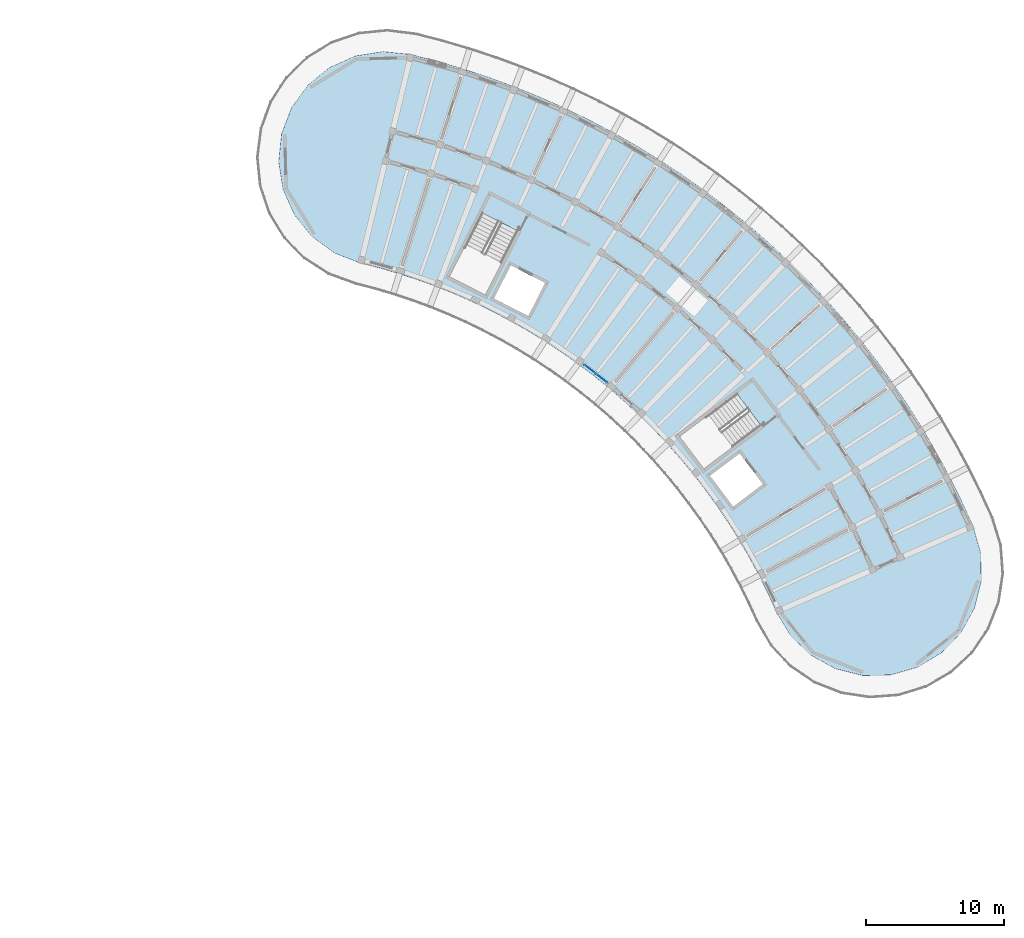
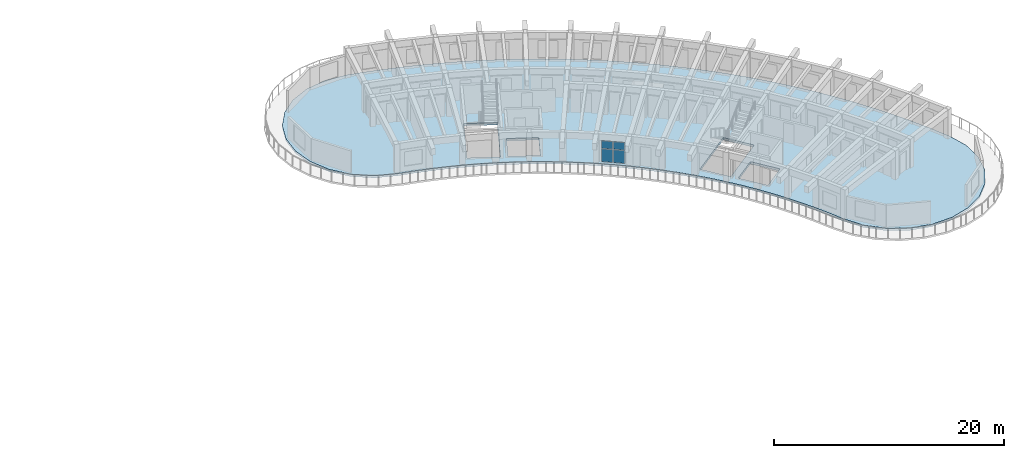
# One storey, part 14 of 41: 4 plates, 1 slab, 1 element without a shape of its own.
"""IFC4 building model written with IfcOpenShell, lengths in metres."""

from ifc_helpers import new_model, si_unit, direction, frame, origin, origin_2d, place, context, subcontext, project, spatial, polyline, rectangle, outline, extrude, material, layer, layer_set, type_object, element, aggregate, save


model = new_model("IFC4")

# Units and contexts
model_context = context("Model", 3, precision=1e-05, world=origin(), true_north=direction((0.0, 1.0)))
body_context = subcontext(model_context, "Body", "Model", "MODEL_VIEW")
ifc_project = project(units=[si_unit("LENGTHUNIT", "METRE"), si_unit("AREAUNIT", "SQUARE_METRE"), si_unit("VOLUMEUNIT", "CUBIC_METRE"), si_unit("PLANEANGLEUNIT", "RADIAN"), si_unit("MASSUNIT", "GRAM", prefix="KILO")], contexts=[model_context])

# Site, building, storey
site_placement = place(None, origin())
site = spatial("IfcSite", under=ifc_project, at=site_placement, CompositionType="ELEMENT")
building_placement = place(site_placement, origin())
building = spatial("IfcBuilding", under=site, at=building_placement, Name="Tanwirah Colonnade Gardens", CompositionType="ELEMENT")
storey_placement = place(building_placement, frame((0.0, 0.0, 35.719970703125)))
storey = spatial("IfcBuildingStorey", under=building, at=storey_placement, Name="L10", CompositionType="ELEMENT", Elevation=35.719970703125)

# Curtain wall, plates
ifc_material_1 = material(Name="Bronze-anodised aluminium and solar-control low-E glass", Category="aluminium")
curtain_wall_type = type_object("IfcCurtainWallType", Name="CW-GDN", PredefinedType="NOTDEFINED", material=ifc_material_1)
curtain_wall_placement = place(storey_placement, origin())
curtain_wall = element("IfcCurtainWall", 1, at=curtain_wall_placement, inside=storey, type_object=curtain_wall_type, Name="Curtain Wall CW-B-L10-IN-09", PredefinedType="NOTDEFINED")
ifc_material_2 = material(Name="Acoustic solar-control low-E double glazing", Category="glass")
ifc_layer_1 = layer(ifc_material_2, 0.031982421875)
ifc_layer_set_1 = layer_set([ifc_layer_1], Name="Acoustic solar-control low-E double glazing")
plate_type = type_object("IfcPlateType", Name="CWP-GLZ32", PredefinedType="CURTAIN_PANEL", material=ifc_layer_set_1)
plate_1_placement = place(storey_placement, frame((148.840087890625, 94.82470703125, 0.070068359375), z_axis=(0.0, 0.0, 1.0), x_axis=(-0.786815291166, 0.617188542982, 0.0)))
plate_1 = element("IfcPlate", 2, at=plate_1_placement, type_object=plate_type, Name="CW-GDN panel 1.1", PredefinedType="CURTAIN_PANEL", context=body_context, shape_type="SweptSolid", body=[
    extrude(rectangle(XDim=1.000244140625, YDim=0.031982421875, at=origin_2d()), origin(), (0.0, 0.0, 1.0), 1.35498046875),
])
plate_2_placement = place(storey_placement, frame((148.840087890625, 94.82470703125, 1.4951171875), z_axis=(0.0, 0.0, 1.0), x_axis=(-0.786815291166, 0.617188542982, 0.0)))
plate_2 = element("IfcPlate", 3, at=plate_2_placement, type_object=plate_type, Name="CW-GDN panel 1.2", PredefinedType="CURTAIN_PANEL", context=body_context, shape_type="SweptSolid", body=[
    extrude(rectangle(XDim=1.000244140625, YDim=0.031982421875, at=origin_2d()), origin(), (0.0, 0.0, 1.0), 0.789794921875),
])
plate_3_placement = place(storey_placement, frame((147.998046875, 95.485107421875, 0.070068359375), z_axis=(0.0, 0.0, 1.0), x_axis=(-0.786815291166, 0.617188542982, 0.0)))
plate_3 = element("IfcPlate", 4, at=plate_3_placement, type_object=plate_type, Name="CW-GDN panel 2.1", PredefinedType="CURTAIN_PANEL", context=body_context, shape_type="SweptSolid", body=[
    extrude(rectangle(XDim=1.000244140625, YDim=0.031982421875, at=origin_2d()), origin(), (0.0, 0.0, 1.0), 1.35498046875),
])
plate_4_placement = place(storey_placement, frame((147.998046875, 95.485107421875, 1.4951171875), z_axis=(0.0, 0.0, 1.0), x_axis=(-0.786815291166, 0.617188542982, 0.0)))
plate_4 = element("IfcPlate", 5, at=plate_4_placement, type_object=plate_type, Name="CW-GDN panel 2.2", PredefinedType="CURTAIN_PANEL", context=body_context, shape_type="SweptSolid", body=[
    extrude(rectangle(XDim=1.000244140625, YDim=0.031982421875, at=origin_2d()), origin(), (0.0, 0.0, 1.0), 0.789794921875),
])
aggregate(curtain_wall, [plate_1, plate_2, plate_3, plate_4])

# Slab
ifc_material_3 = material(Name="Precast concrete C40/50", Category="concrete")
ifc_layer_2 = layer(ifc_material_3, 0.2451171875)
ifc_layer_set_2 = layer_set([ifc_layer_2], Name="Precast concrete C40/50")
slab_type = type_object("IfcSlabType", Name="SL-RES-245", PredefinedType="FLOOR", material=ifc_layer_set_2)
slab_placement = place(storey_placement, frame((0.0, 0.0, -0.244873046875)))
element("IfcSlab", 6, at=slab_placement, inside=storey, type_object=slab_type, Name="Block B L10 Precast Composite Floor Slab", PredefinedType="FLOOR", context=body_context, shape_type="SweptSolid", body=[
    extrude(outline(polyline([(160.26513671875, 80.4951171875), (160.91259765625, 79.18994140625), (161.516845703125, 77.864013671875), (162.5673828125, 76.11962890625), (164.033447265625, 74.70654296875), (165.8154296875, 73.72119140625), (167.79150390625, 73.23046875), (169.827392578125, 73.26806640625), (171.7841796875, 73.8310546875), (173.528564453125, 74.881591796875), (174.941650390625, 76.34765625), (175.927001953125, 78.12939453125), (176.417724609375, 80.105712890625), (176.380126953125, 82.1416015625), (175.817138671875, 84.098388671875), (174.99951171875, 85.892333984375), (174.123291015625, 87.658203125), (173.189453125, 89.394287109375), (172.19873046875, 91.0986328125), (171.152587890625, 92.76953125), (170.0517578125, 94.40478515625), (168.897705078125, 96.0029296875), (167.69140625, 97.562255859375), (166.4345703125, 99.0810546875), (165.12841796875, 100.5576171875), (163.774169921875, 101.990234375), (162.37353515625, 103.377197265625), (160.927734375, 104.717529296875), (159.438720703125, 106.009521484375), (157.907958984375, 107.25146484375), (156.3369140625, 108.442626953125), (154.7275390625, 109.5810546875), (153.08154296875, 110.666015625), (151.400634765625, 111.696044921875), (149.686767578125, 112.669921875), (147.94189453125, 113.587158203125), (146.16748046875, 114.446044921875), (144.36572265625, 115.24609375), (142.53857421875, 115.986328125), (140.688232421875, 116.666015625), (138.816162109375, 117.284423828125), (136.925048828125, 117.840576171875), (135.016357421875, 118.334228515625), (132.991455078125, 118.549072265625), (130.980224609375, 118.232421875), (129.119140625, 117.406005859375), (127.535400390625, 116.1259765625), (126.3369140625, 114.47998046875), (125.60546875, 112.57958984375), (125.390625, 110.554931640625), (125.707275390625, 108.54345703125), (126.53369140625, 106.682373046875), (127.8134765625, 105.0986328125), (129.459716796875, 103.900390625), (131.35986328125, 103.168701171875), (132.770751953125, 102.803955078125), (134.16845703125, 102.392822265625), (135.552001953125, 101.935791015625), (136.919921875, 101.433349609375), (138.270263671875, 100.88623046875), (139.60205078125, 100.294921875), (140.91357421875, 99.659912109375), (142.203369140625, 98.982177734375), (143.47021484375, 98.26220703125), (144.71240234375, 97.5009765625), (145.92919921875, 96.698974609375), (147.11865234375, 95.857421875), (148.27978515625, 94.977294921875), (149.4111328125, 94.05908203125), (150.51171875, 93.104248046875), (151.580322265625, 92.11376953125), (152.61572265625, 91.08837890625), (153.61669921875, 90.029541015625), (154.58203125, 88.938232421875), (155.510986328125, 87.815673828125), (156.402587890625, 86.6630859375), (157.255615234375, 85.48193359375), (158.0693359375, 84.27294921875), (158.842529296875, 83.0380859375), (159.57470703125, 81.7783203125), (160.26513671875, 80.4951171875)]), holes=[polyline([(160.4169921875, 91.38427734375), (156.2666015625, 88.256591796875), (154.512939453125, 90.583740234375), (158.663330078125, 93.71142578125), (160.4169921875, 91.38427734375)]), polyline([(158.402587890625, 85.5048828125), (156.717529296875, 87.7412109375), (158.873779296875, 89.365966796875), (160.558837890625, 87.1298828125), (158.402587890625, 85.5048828125)]), polyline([(137.8017578125, 102.199951171875), (140.1611328125, 106.830322265625), (142.757568359375, 105.507568359375), (140.398193359375, 100.876953125), (137.8017578125, 102.199951171875)]), polyline([(142.255126953125, 103.01708984375), (144.75, 101.745849609375), (143.524169921875, 99.34033203125), (141.029541015625, 100.611328125), (142.255126953125, 103.01708984375)])]), origin(), (0.0, 0.0, 1.0), 0.244873046875),
])

save(model, "model.ifc")
